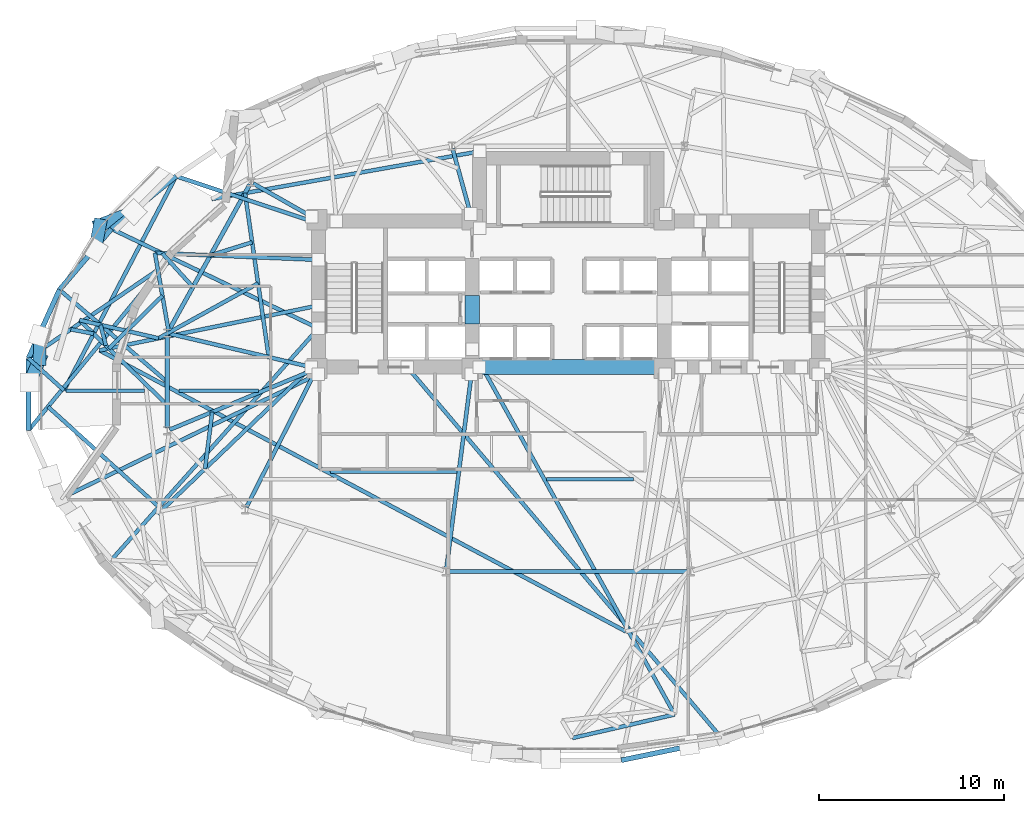
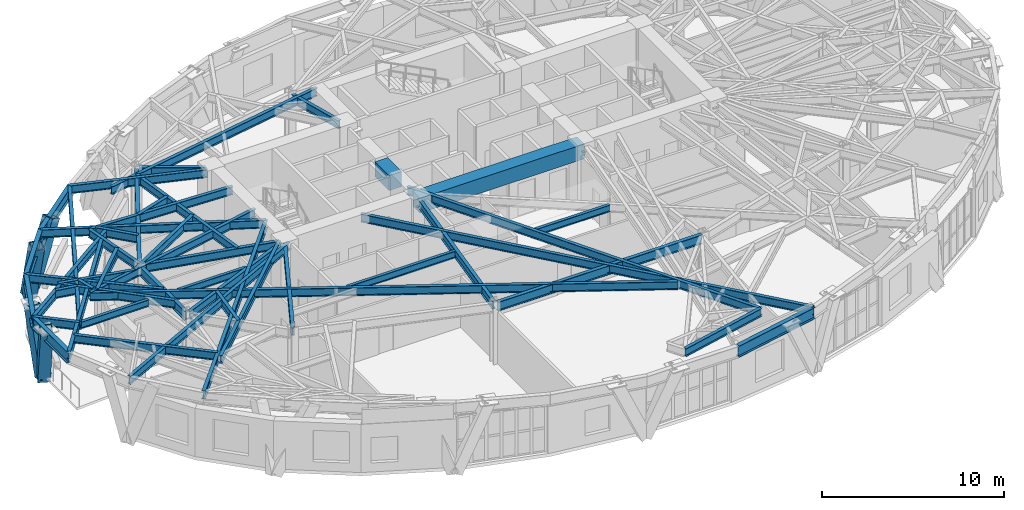
# One storey, part 4 of 20: 49 beams, 4 members.
"""IFC4 building model written with IfcOpenShell, lengths in metres."""

from ifc_helpers import new_model, si_unit, direction, frame, origin, origin_2d, place, context, subcontext, project, spatial, rectangle, hollow_rectangle, i_section, extrude, material, material_profile, profile_set, type_object, element, save


model = new_model("IFC4")

# Units and contexts
model_context = context("Model", 3, precision=1e-05, world=origin(), true_north=direction((0.0, 1.0)))
body_context = subcontext(model_context, "Body", "Model", "MODEL_VIEW")
ifc_project = project(units=[si_unit("LENGTHUNIT", "METRE"), si_unit("AREAUNIT", "SQUARE_METRE"), si_unit("VOLUMEUNIT", "CUBIC_METRE"), si_unit("PLANEANGLEUNIT", "RADIAN"), si_unit("MASSUNIT", "GRAM", prefix="KILO")], contexts=[model_context])

# Site, building, storey
site_placement = place(None, origin())
site = spatial("IfcSite", under=ifc_project, at=site_placement, CompositionType="ELEMENT")
building_placement = place(site_placement, origin())
building = spatial("IfcBuilding", under=site, at=building_placement, Name="Keldmark Tower", CompositionType="ELEMENT")
storey_placement = place(building_placement, frame((0.0, 0.0, 81.89990234375)))
storey = spatial("IfcBuildingStorey", under=building, at=storey_placement, Name="L21", CompositionType="ELEMENT", Elevation=81.89990234375)

# Beams
ifc_material_1 = material(Name="Steel ASTM A992 Grade 50", Category="steel")
ifc_material_profile_1 = material_profile(ifc_material_1, i_section(OverallWidth=0.19091796875, OverallDepth=0.45703125, WebThickness=0.009033203125, FlangeThickness=0.014404296875, at=origin_2d()), Name="W18X50")
ifc_profile_set_1 = profile_set([ifc_material_profile_1], Name="Steel ASTM A992 Grade 50")
beam_type_1 = type_object("IfcBeamType", Name="Composite Floor Joist W18X50", PredefinedType="JOIST", material=ifc_profile_set_1)
beam_1_placement = place(storey_placement, frame((-12.86962890625, -4.179931640625, 3.781494140625), z_axis=(1.0, 0.0, 0.0), x_axis=(0.0, 1.0, 0.0)))
element("IfcBeam", 1, at=beam_1_placement, inside=storey, type_object=beam_type_1, Name="L21 Composite Floor Joist J03", PredefinedType="JOIST", context=body_context, shape_type="SweptSolid", body=[
    extrude(i_section(OverallWidth=0.19091796875, OverallDepth=0.45703125, WebThickness=0.009033203125, FlangeThickness=0.014404296875, at=origin_2d()), origin(), (0.0, 0.0, 1.0), 6.852783203125),
])
beam_2_placement = place(storey_placement, frame((-1.18212890625, -4.60009765625, 3.781494140625), z_axis=(1.0, 0.0, 0.0), x_axis=(0.0, 1.0, 0.0)))
element("IfcBeam", 2, at=beam_2_placement, inside=storey, type_object=beam_type_1, Name="L21 Composite Floor Joist J04", PredefinedType="JOIST", context=body_context, shape_type="SweptSolid", body=[
    extrude(i_section(OverallWidth=0.19091796875, OverallDepth=0.45703125, WebThickness=0.009033203125, FlangeThickness=0.014404296875, at=origin_2d()), origin(), (0.0, 0.0, 1.0), 4.707763671875),
])
beam_3_placement = place(storey_placement, frame((-27.18408203125, 0.199951171875, 3.781494140625), z_axis=(1.0, 0.0, 0.0), x_axis=(0.0, 1.0, 0.0)))
element("IfcBeam", 3, at=beam_3_placement, inside=storey, type_object=beam_type_1, Name="L21 Composite Floor Joist J06", PredefinedType="JOIST", context=body_context, shape_type="SweptSolid", body=[
    extrude(i_section(OverallWidth=0.19091796875, OverallDepth=0.45703125, WebThickness=0.009033203125, FlangeThickness=0.014404296875, at=origin_2d()), origin(), (0.0, 0.0, 1.0), 4.247802734375),
])
beam_4_placement = place(storey_placement, frame((-21.070556640625, 0.199951171875, 3.781494140625), z_axis=(1.0, 0.0, 0.0), x_axis=(0.0, 1.0, 0.0)))
element("IfcBeam", 4, at=beam_4_placement, inside=storey, type_object=beam_type_1, Name="L21 Composite Floor Joist J07", PredefinedType="JOIST", context=body_context, shape_type="SweptSolid", body=[
    extrude(i_section(OverallWidth=0.19091796875, OverallDepth=0.45703125, WebThickness=0.009033203125, FlangeThickness=0.014404296875, at=origin_2d()), origin(), (0.0, 0.0, 1.0), 4.320556640625),
])
ifc_material_2 = material(Name="Concrete C70/85", Category="concrete")
ifc_material_profile_2 = material_profile(ifc_material_2, rectangle(XDim=0.800048828125, YDim=1.0, at=origin_2d()), Name="RCB800X1000")
ifc_profile_set_2 = profile_set([ifc_material_profile_2], Name="Concrete C70/85")
beam_type_2 = type_object("IfcBeamType", Name="Core Coupling Beam RCB800X1000", PredefinedType="USERDEFINED", material=ifc_profile_set_2)
beam_5_placement = place(storey_placement, frame((-5.199951171875, 3.800048828125, 3.510009765625), z_axis=(0.0, 1.0, 0.0), x_axis=(-1.0, 0.0, 0.0)))
element("IfcBeam", 5, at=beam_5_placement, inside=storey, type_object=beam_type_2, Name="L21 West Core Coupling Beam", ObjectType="COUPLING BEAM", PredefinedType="USERDEFINED", context=body_context, shape_type="SweptSolid", body=[
    extrude(rectangle(XDim=0.800048828125, YDim=1.0, at=origin_2d()), origin(), (0.0, 0.0, 1.0), 1.550048828125),
])
beam_6_placement = place(storey_placement, frame((-5.199951171875, 1.47509765625, 3.510009765625), z_axis=(1.0, 0.0, 0.0), x_axis=(0.0, 1.0, 0.0)))
element("IfcBeam", 6, at=beam_6_placement, inside=storey, type_object=beam_type_2, Name="L21 Central South Core Coupling Beam", ObjectType="COUPLING BEAM", PredefinedType="USERDEFINED", context=body_context, shape_type="SweptSolid", body=[
    extrude(rectangle(XDim=0.800048828125, YDim=1.0, at=origin_2d()), origin(), (0.0, 0.0, 1.0), 10.39990234375),
])

# Members
ifc_material_3 = material(Name="Steel ASTM A572 Grade 50", Category="steel")
ifc_material_profile_3 = material_profile(ifc_material_3, hollow_rectangle(XDim=0.699951171875, YDim=0.699951171875, WallThickness=0.054931640625, at=origin_2d()), Name="BOX700X700X55")
ifc_profile_set_3 = profile_set([ifc_material_profile_3], Name="Steel ASTM A572 Grade 50")
member_type = type_object("IfcMemberType", Name="Diagrid Zone 1 Brace BOX700X700X55", PredefinedType="BRACE", material=ifc_profile_set_3)
member_1_placement = place(storey_placement, frame((-25.352783203125, 9.154052734375, -0.2998046875), z_axis=(0.398325246268, 0.153903180469, 0.904240459848), x_axis=(-0.360409039114, 0.932794363472, 0.0)))
element("IfcMember", 7, at=member_1_placement, inside=storey, type_object=member_type, Name="L21 Perimeter Diagrid Brace 07A", PredefinedType="BRACE", context=body_context, shape_type="SweptSolid", body=[
    extrude(hollow_rectangle(XDim=0.699951171875, YDim=0.699951171875, WallThickness=0.054931640625, at=origin_2d()), origin(), (0.0, 0.0, 1.0), 4.633544921875),
])
member_2_placement = place(storey_placement, frame((-25.346435546875, 9.163818359375, -0.2998046875), z_axis=(-0.058584183224, -0.302952833968, 0.951203171708), x_axis=(0.981811185418, -0.189859938344, 0.0)))
element("IfcMember", 8, at=member_2_placement, inside=storey, type_object=member_type, Name="L21 Perimeter Diagrid Brace 07B", PredefinedType="BRACE", context=body_context, shape_type="SweptSolid", body=[
    extrude(hollow_rectangle(XDim=0.699951171875, YDim=0.699951171875, WallThickness=0.054931640625, at=origin_2d()), origin(), (0.0, 0.0, 1.0), 4.40478515625),
])
member_3_placement = place(storey_placement, frame((-28.60400390625, 1.893798828125, -0.2998046875), z_axis=(0.002842836438, 0.291251380142, 0.956642332247), x_axis=(-0.999952367131, 0.009760300617, 0.0)))
element("IfcMember", 9, at=member_3_placement, inside=storey, type_object=member_type, Name="L21 Perimeter Diagrid Brace 08A", PredefinedType="BRACE", context=body_context, shape_type="SweptSolid", body=[
    extrude(hollow_rectangle(XDim=0.699951171875, YDim=0.699951171875, WallThickness=0.054931640625, at=origin_2d()), origin(), (0.0, 0.0, 1.0), 4.3798828125),
])
member_4_placement = place(storey_placement, frame((-28.6015625, 1.905517578125, -0.2998046875), z_axis=(-0.12396012123, -0.286066076997, 0.950157927892), x_axis=(0.917557784833, -0.397602454082, 0.0)))
element("IfcMember", 10, at=member_4_placement, inside=storey, type_object=member_type, Name="L21 Perimeter Diagrid Brace 08B", PredefinedType="BRACE", context=body_context, shape_type="SweptSolid", body=[
    extrude(hollow_rectangle(XDim=0.699951171875, YDim=0.699951171875, WallThickness=0.054931640625, at=origin_2d()), origin(), (0.0, 0.0, 1.0), 4.40966796875),
])

# Beams
ifc_material_4 = material(Name="Steel ASTM A992 Grade 50", Category="steel")
ifc_material_profile_4 = material_profile(ifc_material_4, i_section(OverallWidth=0.22900390625, OverallDepth=0.612060546875, WebThickness=0.011962890625, FlangeThickness=0.01953125, at=origin_2d()), Name="W24X84")
ifc_profile_set_4 = profile_set([ifc_material_profile_4], Name="Steel ASTM A992 Grade 50")
beam_type_3 = type_object("IfcBeamType", Name="Primary Floor Girder W24X84", PredefinedType="BEAM", material=ifc_profile_set_4)
beam_7_placement = place(storey_placement, frame((-17.235107421875, 11.35595703125, 3.7041015625), z_axis=(-0.484951836703, -0.874540860154, 0.0), x_axis=(0.874540860154, -0.484951836703, 0.0)))
element("IfcBeam", 11, at=beam_7_placement, inside=storey, type_object=beam_type_3, Name="L21 Floor Ring Girder FG-R05", PredefinedType="BEAM", context=body_context, shape_type="SweptSolid", body=[
    extrude(i_section(OverallWidth=0.22900390625, OverallDepth=0.612060546875, WebThickness=0.011962890625, FlangeThickness=0.01953125, at=origin_2d()), origin(), (0.0, 0.0, 1.0), 9.060302734375),
])
beam_8_placement = place(storey_placement, frame((-21.697021484375, 3.169921875, 3.7041015625), z_axis=(0.0, -1.0, 0.0), x_axis=(1.0, 0.0, 0.0)))
element("IfcBeam", 12, at=beam_8_placement, inside=storey, type_object=beam_type_3, Name="L21 Floor Ring Girder FG-R06", PredefinedType="BEAM", context=body_context, shape_type="SweptSolid", body=[
    extrude(i_section(OverallWidth=0.22900390625, OverallDepth=0.612060546875, WebThickness=0.011962890625, FlangeThickness=0.01953125, at=origin_2d()), origin(), (0.0, 0.0, 1.0), 4.995849609375),
])
beam_9_placement = place(storey_placement, frame((-6.472900390625, -9.579345703125, 3.7041015625), z_axis=(1.0, 0.0, 0.0), x_axis=(0.0, 1.0, 0.0)))
element("IfcBeam", 13, at=beam_9_placement, inside=storey, type_object=beam_type_3, Name="L21 Floor Ring Girder FG-R09", PredefinedType="BEAM", context=body_context, shape_type="SweptSolid", body=[
    extrude(i_section(OverallWidth=0.22900390625, OverallDepth=0.612060546875, WebThickness=0.011962890625, FlangeThickness=0.01953125, at=origin_2d()), origin(), (0.0, 0.0, 1.0), 12.94580078125),
])
ifc_material_5 = material(Name="Steel ASTM A992 Grade 50", Category="steel")
ifc_material_profile_5 = material_profile(ifc_material_5, i_section(OverallWidth=0.2099609375, OverallDepth=0.537109375, WebThickness=0.010986328125, FlangeThickness=0.017333984375, at=origin_2d()), Name="W21X68")
ifc_profile_set_5 = profile_set([ifc_material_profile_5], Name="Steel ASTM A992 Grade 50")
beam_type_4 = type_object("IfcBeamType", Name="Radial Tie Girder W21X68", PredefinedType="BEAM", material=ifc_profile_set_5)
beam_10_placement = place(storey_placement, frame((-16.206298828125, 2.014892578125, 3.74169921875), z_axis=(-0.14339120823, 0.98966608581, 0.0), x_axis=(-0.98966608581, -0.14339120823, 0.0)))
element("IfcBeam", 14, at=beam_10_placement, inside=storey, type_object=beam_type_4, Name="L21 Framing Pin Header PH-003", PredefinedType="BEAM", context=body_context, shape_type="SweptSolid", body=[
    extrude(i_section(OverallWidth=0.2099609375, OverallDepth=0.537109375, WebThickness=0.010986328125, FlangeThickness=0.017333984375, at=origin_2d()), origin(), (0.0, 0.0, 1.0), 8.969482421875),
])
beam_11_placement = place(storey_placement, frame((-4.800048828125, 13.14990234375, 3.74169921875), z_axis=(-0.984536525962, -0.175179419587, 0.0), x_axis=(0.175179419587, -0.984536525962, 0.0)))
element("IfcBeam", 15, at=beam_11_placement, inside=storey, type_object=beam_type_4, Name="L21 Sub-Ring Step Girder STP1-M06", PredefinedType="BEAM", context=body_context, shape_type="SweptSolid", body=[
    extrude(i_section(OverallWidth=0.2099609375, OverallDepth=0.537109375, WebThickness=0.010986328125, FlangeThickness=0.017333984375, at=origin_2d()), origin(), (0.0, 0.0, 1.0), 14.72412109375),
])
beam_12_placement = place(storey_placement, frame((-16.784912109375, 6.00927734375, 3.74169921875), z_axis=(-0.875400582275, -0.483398200816, 0.0), x_axis=(0.483398200816, -0.875400582275, 0.0)))
element("IfcBeam", 16, at=beam_12_placement, inside=storey, type_object=beam_type_4, Name="L21 Framing Pin Header PH-006", PredefinedType="BEAM", context=body_context, shape_type="SweptSolid", body=[
    extrude(i_section(OverallWidth=0.2099609375, OverallDepth=0.537109375, WebThickness=0.010986328125, FlangeThickness=0.017333984375, at=origin_2d()), origin(), (0.0, 0.0, 1.0), 6.154541015625),
])
beam_13_placement = place(storey_placement, frame((-13.52490234375, 4.80712890625, 3.74169921875), z_axis=(-0.979626759845, -0.200826819413, 0.0), x_axis=(0.200826819413, -0.979626759845, 0.0)))
element("IfcBeam", 17, at=beam_13_placement, inside=storey, type_object=beam_type_4, Name="L21 Sub-Ring Step Girder STP2-M07", PredefinedType="BEAM", context=body_context, shape_type="SweptSolid", body=[
    extrude(i_section(OverallWidth=0.2099609375, OverallDepth=0.537109375, WebThickness=0.010986328125, FlangeThickness=0.017333984375, at=origin_2d()), origin(), (0.0, 0.0, 1.0), 12.083740234375),
])
beam_14_placement = place(storey_placement, frame((-25.362548828125, 2.38037109375, 3.74169921875), z_axis=(0.882078782118, -0.4711019233, 0.0), x_axis=(0.4711019233, 0.882078782118, 0.0)))
element("IfcBeam", 18, at=beam_14_placement, inside=storey, type_object=beam_type_4, Name="L21 Perimeter Collector Ring Beam CRG2-M07", PredefinedType="BEAM", context=body_context, shape_type="SweptSolid", body=[
    extrude(i_section(OverallWidth=0.2099609375, OverallDepth=0.537109375, WebThickness=0.010986328125, FlangeThickness=0.017333984375, at=origin_2d()), origin(), (0.0, 0.0, 1.0), 32.285400390625),
])
beam_15_placement = place(storey_placement, frame((-13.89990234375, 9.375, 3.74169921875), z_axis=(-0.949109787564, 0.314945409795, 0.0), x_axis=(-0.314945409795, -0.949109787564, 0.0)))
element("IfcBeam", 19, at=beam_15_placement, inside=storey, type_object=beam_type_4, Name="L21 Perimeter Radial Tie Girder RT-13", PredefinedType="BEAM", context=body_context, shape_type="SweptSolid", body=[
    extrude(i_section(OverallWidth=0.2099609375, OverallDepth=0.537109375, WebThickness=0.010986328125, FlangeThickness=0.017333984375, at=origin_2d()), origin(), (0.0, 0.0, 1.0), 7.71240234375),
])
beam_16_placement = place(storey_placement, frame((-17.106689453125, 8.228515625, 3.74169921875), z_axis=(-0.954481818266, -0.298269104332, 0.0), x_axis=(0.298269104332, -0.954481818266, 0.0)))
element("IfcBeam", 20, at=beam_16_placement, inside=storey, type_object=beam_type_4, Name="L21 Framing Pin Header PH-018", PredefinedType="BEAM", context=body_context, shape_type="SweptSolid", body=[
    extrude(i_section(OverallWidth=0.2099609375, OverallDepth=0.537109375, WebThickness=0.010986328125, FlangeThickness=0.017333984375, at=origin_2d()), origin(), (0.0, 0.0, 1.0), 2.360595703125),
])
beam_17_placement = place(storey_placement, frame((-13.52490234375, 7.278564453125, 3.74169921875), z_axis=(-0.99911461603, 0.042071178193, 0.0), x_axis=(-0.042071178193, -0.99911461603, 0.0)))
element("IfcBeam", 21, at=beam_17_placement, inside=storey, type_object=beam_type_4, Name="L21 Intermediate Radial Step Girder RT-14M", PredefinedType="BEAM", context=body_context, shape_type="SweptSolid", body=[
    extrude(i_section(OverallWidth=0.2099609375, OverallDepth=0.537109375, WebThickness=0.010986328125, FlangeThickness=0.017333984375, at=origin_2d()), origin(), (0.0, 0.0, 1.0), 8.849609375),
])
beam_18_placement = place(storey_placement, frame((-21.62890625, 3.432373046875, 3.74169921875), z_axis=(-0.172279382075, 0.985048128018, 0.0), x_axis=(-0.985048128018, -0.172279382075, 0.0)))
element("IfcBeam", 22, at=beam_18_placement, inside=storey, type_object=beam_type_4, Name="L21 Local Collector Chord RT-14C", PredefinedType="BEAM", context=body_context, shape_type="SweptSolid", body=[
    extrude(i_section(OverallWidth=0.2099609375, OverallDepth=0.537109375, WebThickness=0.010986328125, FlangeThickness=0.017333984375, at=origin_2d()), origin(), (0.0, 0.0, 1.0), 4.282470703125),
])
beam_19_placement = place(storey_placement, frame((-20.310791015625, 5.809326171875, 3.74169921875), z_axis=(-0.673140396402, 0.739514710287, 0.0), x_axis=(-0.739514710287, -0.673140396402, 0.0)))
element("IfcBeam", 23, at=beam_19_placement, inside=storey, type_object=beam_type_4, Name="L21 Framing Pin Header PH-019", PredefinedType="BEAM", context=body_context, shape_type="SweptSolid", body=[
    extrude(i_section(OverallWidth=0.2099609375, OverallDepth=0.537109375, WebThickness=0.010986328125, FlangeThickness=0.017333984375, at=origin_2d()), origin(), (0.0, 0.0, 1.0), 2.468017578125),
])
beam_20_placement = place(storey_placement, frame((-13.52490234375, 3.5712890625, 3.74169921875), z_axis=(-0.901172863503, 0.433459882903, 0.0), x_axis=(-0.433459882903, -0.901172863503, 0.0)))
element("IfcBeam", 24, at=beam_20_placement, inside=storey, type_object=beam_type_4, Name="L21 Perimeter Radial Tie Girder RT-14", PredefinedType="BEAM", context=body_context, shape_type="SweptSolid", body=[
    extrude(i_section(OverallWidth=0.2099609375, OverallDepth=0.537109375, WebThickness=0.010986328125, FlangeThickness=0.017333984375, at=origin_2d()), origin(), (0.0, 0.0, 1.0), 12.42333984375),
])
beam_21_placement = place(storey_placement, frame((-21.9609375, 5.330810546875, 3.74169921875), z_axis=(-0.713329052529, -0.700829267952, 0.0), x_axis=(0.700829267952, -0.713329052529, 0.0)))
element("IfcBeam", 25, at=beam_21_placement, inside=storey, type_object=beam_type_4, Name="L21 Framing Pin Header PH-020", PredefinedType="BEAM", context=body_context, shape_type="SweptSolid", body=[
    extrude(i_section(OverallWidth=0.2099609375, OverallDepth=0.537109375, WebThickness=0.010986328125, FlangeThickness=0.017333984375, at=origin_2d()), origin(), (0.0, 0.0, 1.0), 4.0625),
])
beam_22_placement = place(storey_placement, frame((-21.697021484375, -0.576904296875, 3.74169921875), z_axis=(-0.718536051651, 0.695489714142, 0.0), x_axis=(-0.695489714142, -0.718536051651, 0.0)))
element("IfcBeam", 26, at=beam_22_placement, inside=storey, type_object=beam_type_4, Name="L21 Intermediate Radial Step Girder RT-15M", PredefinedType="BEAM", context=body_context, shape_type="SweptSolid", body=[
    extrude(i_section(OverallWidth=0.2099609375, OverallDepth=0.537109375, WebThickness=0.010986328125, FlangeThickness=0.017333984375, at=origin_2d()), origin(), (0.0, 0.0, 1.0), 6.6103515625),
])
beam_23_placement = place(storey_placement, frame((-22.172607421875, 3.0341796875, 3.74169921875), z_axis=(-0.97439213373, 0.224855441839, 0.0), x_axis=(-0.224855441839, -0.97439213373, 0.0)))
element("IfcBeam", 27, at=beam_23_placement, inside=storey, type_object=beam_type_4, Name="L21 Local Collector Chord RT-15C", PredefinedType="BEAM", context=body_context, shape_type="SweptSolid", body=[
    extrude(i_section(OverallWidth=0.2099609375, OverallDepth=0.537109375, WebThickness=0.010986328125, FlangeThickness=0.017333984375, at=origin_2d()), origin(), (0.0, 0.0, 1.0), 4.386474609375),
])
beam_24_placement = place(storey_placement, frame((-25.021728515625, 2.641357421875, 3.74169921875), z_axis=(-0.245828071244, 0.96931344744, 0.0), x_axis=(-0.96931344744, -0.245828071244, 0.0)))
element("IfcBeam", 28, at=beam_24_placement, inside=storey, type_object=beam_type_4, Name="L21 Framing Pin Header PH-021", PredefinedType="BEAM", context=body_context, shape_type="SweptSolid", body=[
    extrude(i_section(OverallWidth=0.2099609375, OverallDepth=0.537109375, WebThickness=0.010986328125, FlangeThickness=0.017333984375, at=origin_2d()), origin(), (0.0, 0.0, 1.0), 1.151123046875),
])
beam_25_placement = place(storey_placement, frame((-21.697021484375, 0.672119140625, 3.74169921875), z_axis=(-0.760014918743, 0.649905626448, 0.0), x_axis=(-0.649905626448, -0.760014918743, 0.0)))
element("IfcBeam", 29, at=beam_25_placement, inside=storey, type_object=beam_type_4, Name="L21 Perimeter Radial Tie Girder RT-15", PredefinedType="BEAM", context=body_context, shape_type="SweptSolid", body=[
    extrude(i_section(OverallWidth=0.2099609375, OverallDepth=0.537109375, WebThickness=0.010986328125, FlangeThickness=0.017333984375, at=origin_2d()), origin(), (0.0, 0.0, 1.0), 7.676025390625),
])
beam_26_placement = place(storey_placement, frame((-21.556884765625, 7.17822265625, 3.74169921875), z_axis=(-0.825644436962, -0.564190804351, 0.0), x_axis=(0.564190804351, -0.825644436962, 0.0)))
element("IfcBeam", 30, at=beam_26_placement, inside=storey, type_object=beam_type_4, Name="L21 Perimeter Radial Tie Girder RT-16", PredefinedType="BEAM", context=body_context, shape_type="SweptSolid", body=[
    extrude(i_section(OverallWidth=0.2099609375, OverallDepth=0.537109375, WebThickness=0.010986328125, FlangeThickness=0.017333984375, at=origin_2d()), origin(), (0.0, 0.0, 1.0), 9.266845703125),
])
beam_27_placement = place(storey_placement, frame((-26.91259765625, 3.518310546875, 3.74169921875), z_axis=(0.981709492154, -0.190385065105, 0.0), x_axis=(0.190385065105, 0.981709492154, 0.0)))
element("IfcBeam", 31, at=beam_27_placement, inside=storey, type_object=beam_type_4, Name="L21 Framing Pin Header PH-022", PredefinedType="BEAM", context=body_context, shape_type="SweptSolid", body=[
    extrude(i_section(OverallWidth=0.2099609375, OverallDepth=0.537109375, WebThickness=0.010986328125, FlangeThickness=0.017333984375, at=origin_2d()), origin(), (0.0, 0.0, 1.0), 1.254150390625),
])
beam_28_placement = place(storey_placement, frame((-21.2197265625, 11.803955078125, 3.74169921875), z_axis=(-0.463711252729, -0.885986384823, 0.0), x_axis=(0.885986384823, -0.463711252729, 0.0)))
element("IfcBeam", 32, at=beam_28_placement, inside=storey, type_object=beam_type_4, Name="L21 Intermediate Radial Step Girder RT-17M", PredefinedType="BEAM", context=body_context, shape_type="SweptSolid", body=[
    extrude(i_section(OverallWidth=0.2099609375, OverallDepth=0.537109375, WebThickness=0.010986328125, FlangeThickness=0.017333984375, at=origin_2d()), origin(), (0.0, 0.0, 1.0), 13.080078125),
])
beam_29_placement = place(storey_placement, frame((-29.2080078125, 1.949951171875, 3.74169921875), z_axis=(0.742468590458, -0.6698808791, 0.0), x_axis=(0.6698808791, 0.742468590458, 0.0)))
element("IfcBeam", 33, at=beam_29_placement, inside=storey, type_object=beam_type_4, Name="L21 Local Collector Chord RT-17C", PredefinedType="BEAM", context=body_context, shape_type="SweptSolid", body=[
    extrude(i_section(OverallWidth=0.2099609375, OverallDepth=0.537109375, WebThickness=0.010986328125, FlangeThickness=0.017333984375, at=origin_2d()), origin(), (0.0, 0.0, 1.0), 2.58984375),
])
beam_30_placement = place(storey_placement, frame((-22.182373046875, 6.59619140625, 3.74169921875), z_axis=(-0.635041027963, -0.77247840928, 0.0), x_axis=(0.77247840928, -0.635041027963, 0.0)))
element("IfcBeam", 34, at=beam_30_placement, inside=storey, type_object=beam_type_4, Name="L21 Perimeter Radial Tie Girder RT-17", PredefinedType="BEAM", context=body_context, shape_type="SweptSolid", body=[
    extrude(i_section(OverallWidth=0.2099609375, OverallDepth=0.537109375, WebThickness=0.010986328125, FlangeThickness=0.017333984375, at=origin_2d()), origin(), (0.0, 0.0, 1.0), 11.063232421875),
])
beam_31_placement = place(storey_placement, frame((-19.26611328125, -0.955322265625, 3.74169921875), z_axis=(-0.125693091831, -0.992069174335, 0.0), x_axis=(0.992069174335, -0.125693091831, 0.0)))
element("IfcBeam", 35, at=beam_31_placement, inside=storey, type_object=beam_type_4, Name="L21 Framing Pin Header PH-023", PredefinedType="BEAM", context=body_context, shape_type="SweptSolid", body=[
    extrude(i_section(OverallWidth=0.2099609375, OverallDepth=0.537109375, WebThickness=0.010986328125, FlangeThickness=0.017333984375, at=origin_2d()), origin(), (0.0, 0.0, 1.0), 3.09814453125),
])
beam_32_placement = place(storey_placement, frame((-13.89990234375, 1.47509765625, 3.74169921875), z_axis=(-0.722729012918, -0.691131517069, 0.0), x_axis=(0.691131517069, -0.722729012918, 0.0)))
element("IfcBeam", 36, at=beam_32_placement, inside=storey, type_object=beam_type_4, Name="L21 Intermediate Radial Step Girder RT-19M", PredefinedType="BEAM", context=body_context, shape_type="SweptSolid", body=[
    extrude(i_section(OverallWidth=0.2099609375, OverallDepth=0.537109375, WebThickness=0.010986328125, FlangeThickness=0.017333984375, at=origin_2d()), origin(), (0.0, 0.0, 1.0), 11.4970703125),
])
beam_33_placement = place(storey_placement, frame((-28.154052734375, -0.66796875, 3.74169921875), z_axis=(0.742049329228, -0.670345278936, 0.0), x_axis=(0.670345278936, 0.742049329228, 0.0)))
element("IfcBeam", 37, at=beam_33_placement, inside=storey, type_object=beam_type_4, Name="L21 Framing Pin Header PH-024", PredefinedType="BEAM", context=body_context, shape_type="SweptSolid", body=[
    extrude(i_section(OverallWidth=0.2099609375, OverallDepth=0.537109375, WebThickness=0.010986328125, FlangeThickness=0.017333984375, at=origin_2d()), origin(), (0.0, 0.0, 1.0), 8.0830078125),
])
beam_34_placement = place(storey_placement, frame((-13.52490234375, 3.5712890625, 3.74169921875), z_axis=(-0.666353846058, -0.745635669642, 0.0), x_axis=(0.745635669642, -0.666353846058, 0.0)))
element("IfcBeam", 38, at=beam_34_placement, inside=storey, type_object=beam_type_4, Name="L21 Perimeter Radial Tie Girder RT-19", PredefinedType="BEAM", context=body_context, shape_type="SweptSolid", body=[
    extrude(i_section(OverallWidth=0.2099609375, OverallDepth=0.537109375, WebThickness=0.010986328125, FlangeThickness=0.017333984375, at=origin_2d()), origin(), (0.0, 0.0, 1.0), 16.80126953125),
])
beam_35_placement = place(storey_placement, frame((-5.199951171875, 2.449951171875, 3.74169921875), z_axis=(0.484765161676, -0.87464434945, 0.0), x_axis=(0.87464434945, 0.484765161676, 0.0)))
element("IfcBeam", 39, at=beam_35_placement, inside=storey, type_object=beam_type_4, Name="L21 Intermediate Radial Step Girder RT-26M", PredefinedType="BEAM", context=body_context, shape_type="SweptSolid", body=[
    extrude(i_section(OverallWidth=0.2099609375, OverallDepth=0.537109375, WebThickness=0.010986328125, FlangeThickness=0.017333984375, at=origin_2d()), origin(), (0.0, 0.0, 1.0), 22.606201171875),
])
beam_36_placement = place(storey_placement, frame((-13.52490234375, 1.10009765625, 3.74169921875), z_axis=(-0.900566258865, -0.434718775066, 0.0), x_axis=(0.434718775066, -0.900566258865, 0.0)))
element("IfcBeam", 40, at=beam_36_placement, inside=storey, type_object=beam_type_4, Name="L21 Perimeter Radial Tie Girder RT-18R", PredefinedType="BEAM", context=body_context, shape_type="SweptSolid", body=[
    extrude(i_section(OverallWidth=0.2099609375, OverallDepth=0.537109375, WebThickness=0.010986328125, FlangeThickness=0.017333984375, at=origin_2d()), origin(), (0.0, 0.0, 1.0), 15.552490234375),
])
beam_37_placement = place(storey_placement, frame((0.2236328125, -18.597900390625, 3.74169921875), z_axis=(0.974466478585, 0.224533031234, 0.0), x_axis=(-0.224533031234, 0.974466478585, 0.0)))
element("IfcBeam", 41, at=beam_37_placement, inside=storey, type_object=beam_type_4, Name="L21 Crown Step Collector Chord RT-24RP1", PredefinedType="BEAM", context=body_context, shape_type="SweptSolid", body=[
    extrude(i_section(OverallWidth=0.2099609375, OverallDepth=0.537109375, WebThickness=0.010986328125, FlangeThickness=0.017333984375, at=origin_2d()), origin(), (0.0, 0.0, 1.0), 5.68017578125),
])
beam_38_placement = place(storey_placement, frame((-8.71435546875, 1.47509765625, 3.74169921875), z_axis=(0.64655527179, -0.762867144738, 0.0), x_axis=(0.762867144738, 0.64655527179, 0.0)))
element("IfcBeam", 42, at=beam_38_placement, inside=storey, type_object=beam_type_4, Name="L21 Perimeter Radial Tie Girder RT-26R", PredefinedType="BEAM", context=body_context, shape_type="SweptSolid", body=[
    extrude(i_section(OverallWidth=0.2099609375, OverallDepth=0.537109375, WebThickness=0.010986328125, FlangeThickness=0.017333984375, at=origin_2d()), origin(), (0.0, 0.0, 1.0), 26.395263671875),
])
ifc_material_6 = material(Name="Steel ASTM A992 Grade 50", Category="steel")
ifc_material_profile_6 = material_profile(ifc_material_6, i_section(OverallWidth=0.214111328125, OverallDepth=0.549072265625, WebThickness=0.0146484375, FlangeThickness=0.023681640625, at=origin_2d()), Name="W21X93")
ifc_profile_set_6 = profile_set([ifc_material_profile_6], Name="Steel ASTM A992 Grade 50")
beam_type_5 = type_object("IfcBeamType", Name="Radial Tie Girder W21X93", PredefinedType="BEAM", material=ifc_profile_set_6)
beam_39_placement = place(storey_placement, frame((-6.26171875, 13.297607421875, 3.735595703125), z_axis=(0.265997186795, -0.963973804944, 0.0), x_axis=(0.963973804944, 0.265997186795, 0.0)))
element("IfcBeam", 43, at=beam_39_placement, inside=storey, type_object=beam_type_5, Name="L21 Floor Radial Girder FG-C04", PredefinedType="BEAM", context=body_context, shape_type="SweptSolid", body=[
    extrude(i_section(OverallWidth=0.214111328125, OverallDepth=0.549072265625, WebThickness=0.0146484375, FlangeThickness=0.023681640625, at=origin_2d()), origin(), (0.0, 0.0, 1.0), 3.67138671875),
])
beam_40_placement = place(storey_placement, frame((-17.04541015625, 11.4091796875, 3.735595703125), z_axis=(0.86928447329, -0.494312152892, 0.0), x_axis=(0.494312152892, 0.86928447329, 0.0)))
element("IfcBeam", 44, at=beam_40_placement, inside=storey, type_object=beam_type_5, Name="L21 Floor Radial Girder FG-C05", PredefinedType="BEAM", context=body_context, shape_type="SweptSolid", body=[
    extrude(i_section(OverallWidth=0.214111328125, OverallDepth=0.549072265625, WebThickness=0.0146484375, FlangeThickness=0.023681640625, at=origin_2d()), origin(), (0.0, 0.0, 1.0), 3.6435546875),
])
beam_41_placement = place(storey_placement, frame((-21.560546875, 3.27783203125, 3.735595703125), z_axis=(0.973283778272, -0.229605502879, 0.0), x_axis=(0.229605502879, 0.973283778272, 0.0)))
element("IfcBeam", 45, at=beam_41_placement, inside=storey, type_object=beam_type_5, Name="L21 Floor Radial Girder FG-C06", PredefinedType="BEAM", context=body_context, shape_type="SweptSolid", body=[
    extrude(i_section(OverallWidth=0.214111328125, OverallDepth=0.549072265625, WebThickness=0.0146484375, FlangeThickness=0.023681640625, at=origin_2d()), origin(), (0.0, 0.0, 1.0), 7.85888671875),
])
beam_42_placement = place(storey_placement, frame((-21.567626953125, -1.912109375, 3.735595703125), z_axis=(0.923397393633, 0.383845350932, 0.0), x_axis=(-0.383845350932, 0.923397393633, 0.0)))
element("IfcBeam", 46, at=beam_42_placement, inside=storey, type_object=beam_type_5, Name="L21 Floor Radial Girder FG-C07", PredefinedType="BEAM", context=body_context, shape_type="SweptSolid", body=[
    extrude(i_section(OverallWidth=0.214111328125, OverallDepth=0.549072265625, WebThickness=0.0146484375, FlangeThickness=0.023681640625, at=origin_2d()), origin(), (0.0, 0.0, 1.0), 8.30859375),
])
beam_43_placement = place(storey_placement, frame((-17.413818359375, -6.104736328125, 3.735595703125), z_axis=(0.453028637759, 0.891495963743, 0.0), x_axis=(-0.891495963743, 0.453028637759, 0.0)))
element("IfcBeam", 47, at=beam_43_placement, inside=storey, type_object=beam_type_5, Name="L21 Floor Radial Girder FG-C08", PredefinedType="BEAM", context=body_context, shape_type="SweptSolid", body=[
    extrude(i_section(OverallWidth=0.214111328125, OverallDepth=0.549072265625, WebThickness=0.0146484375, FlangeThickness=0.023681640625, at=origin_2d()), origin(), (0.0, 0.0, 1.0), 8.09814453125),
])
beam_44_placement = place(storey_placement, frame((-6.594970703125, -9.4404296875, 3.735595703125), z_axis=(0.127642040045, 0.991820301069, 0.0), x_axis=(-0.991820301069, 0.127642040045, 0.0)))
element("IfcBeam", 48, at=beam_44_placement, inside=storey, type_object=beam_type_5, Name="L21 Floor Radial Girder FG-C09", PredefinedType="BEAM", context=body_context, shape_type="SweptSolid", body=[
    extrude(i_section(OverallWidth=0.214111328125, OverallDepth=0.549072265625, WebThickness=0.0146484375, FlangeThickness=0.023681640625, at=origin_2d()), origin(), (0.0, 0.0, 1.0), 10.609619140625),
])
ifc_material_7 = material(Name="Steel ASTM A992 Grade 50", Category="steel")
ifc_material_profile_7 = material_profile(ifc_material_7, i_section(OverallWidth=0.26806640625, OverallDepth=0.77001953125, WebThickness=0.015625, FlangeThickness=0.025390625, at=origin_2d()), Name="W30X132")
ifc_profile_set_7 = profile_set([ifc_material_profile_7], Name="Steel ASTM A992 Grade 50")
beam_type_6 = type_object("IfcBeamType", Name="Spandrel Ring Beam W30X132", PredefinedType="SPANDREL", material=ifc_profile_set_7)
beam_45_placement = place(storey_placement, frame((-21.2197265625, 11.803955078125, 3.625), z_axis=(-0.775754770681, -0.631034496494, 0.0), x_axis=(0.631034496494, -0.775754770681, 0.0)))
element("IfcBeam", 49, at=beam_45_placement, inside=storey, type_object=beam_type_6, Name="L21 Perimeter Spandrel Ring Beam SRB-13", PredefinedType="SPANDREL", context=body_context, shape_type="SweptSolid", body=[
    extrude(i_section(OverallWidth=0.26806640625, OverallDepth=0.77001953125, WebThickness=0.015625, FlangeThickness=0.025390625, at=origin_2d()), origin(), (0.0, 0.0, 1.0), 4.5126953125),
])
beam_46_placement = place(storey_placement, frame((-24.720458984375, 8.956298828125, 3.625), z_axis=(-0.648913975558, -0.760861782669, 0.0), x_axis=(0.760861782669, -0.648913975558, 0.0)))
element("IfcBeam", 50, at=beam_46_placement, inside=storey, type_object=beam_type_6, Name="L21 Perimeter Spandrel Ring Beam SRB-14", PredefinedType="SPANDREL", context=body_context, shape_type="SweptSolid", body=[
    extrude(i_section(OverallWidth=0.26806640625, OverallDepth=0.77001953125, WebThickness=0.015625, FlangeThickness=0.025390625, at=origin_2d()), origin(), (0.0, 0.0, 1.0), 4.3310546875),
])
beam_47_placement = place(storey_placement, frame((-27.531005859375, 5.660888671875, 3.625), z_axis=(-0.411809988363, -0.911269736952, 0.0), x_axis=(0.911269736952, -0.411809988363, 0.0)))
element("IfcBeam", 51, at=beam_47_placement, inside=storey, type_object=beam_type_6, Name="L21 Perimeter Spandrel Ring Beam SRB-15", PredefinedType="SPANDREL", context=body_context, shape_type="SweptSolid", body=[
    extrude(i_section(OverallWidth=0.26806640625, OverallDepth=0.77001953125, WebThickness=0.015625, FlangeThickness=0.025390625, at=origin_2d()), origin(), (0.0, 0.0, 1.0), 4.072265625),
])
beam_48_placement = place(storey_placement, frame((-29.2080078125, 1.949951171875, 3.625), z_axis=(0.0, -1.0, 0.0), x_axis=(1.0, 0.0, 0.0)))
element("IfcBeam", 52, at=beam_48_placement, inside=storey, type_object=beam_type_6, Name="L21 Perimeter Spandrel Ring Beam SRB-16", PredefinedType="SPANDREL", context=body_context, shape_type="SweptSolid", body=[
    extrude(i_section(OverallWidth=0.26806640625, OverallDepth=0.77001953125, WebThickness=0.015625, FlangeThickness=0.025390625, at=origin_2d()), origin(), (0.0, 0.0, 1.0), 3.89990234375),
])
beam_49_placement = place(storey_placement, frame((2.876708984375, -19.797607421875, 3.625), z_axis=(0.979118590293, 0.20328990664, 0.0), x_axis=(-0.20328990664, 0.979118590293, 0.0)))
element("IfcBeam", 53, at=beam_49_placement, inside=storey, type_object=beam_type_6, Name="L21 Perimeter Spandrel Ring Beam SRB-25", PredefinedType="SPANDREL", context=body_context, shape_type="SweptSolid", body=[
    extrude(i_section(OverallWidth=0.26806640625, OverallDepth=0.77001953125, WebThickness=0.015625, FlangeThickness=0.025390625, at=origin_2d()), origin(), (0.0, 0.0, 1.0), 5.591552734375),
])

save(model, "model.ifc")
